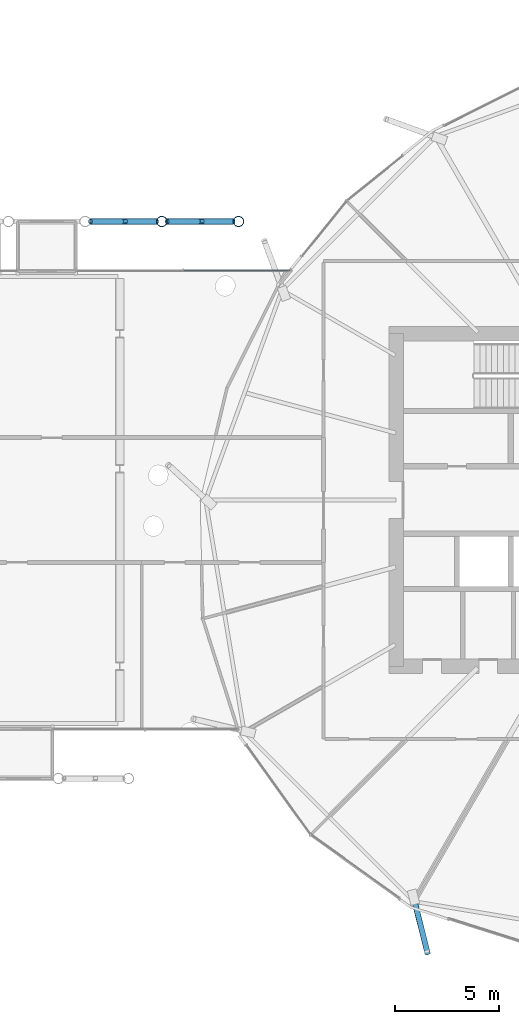
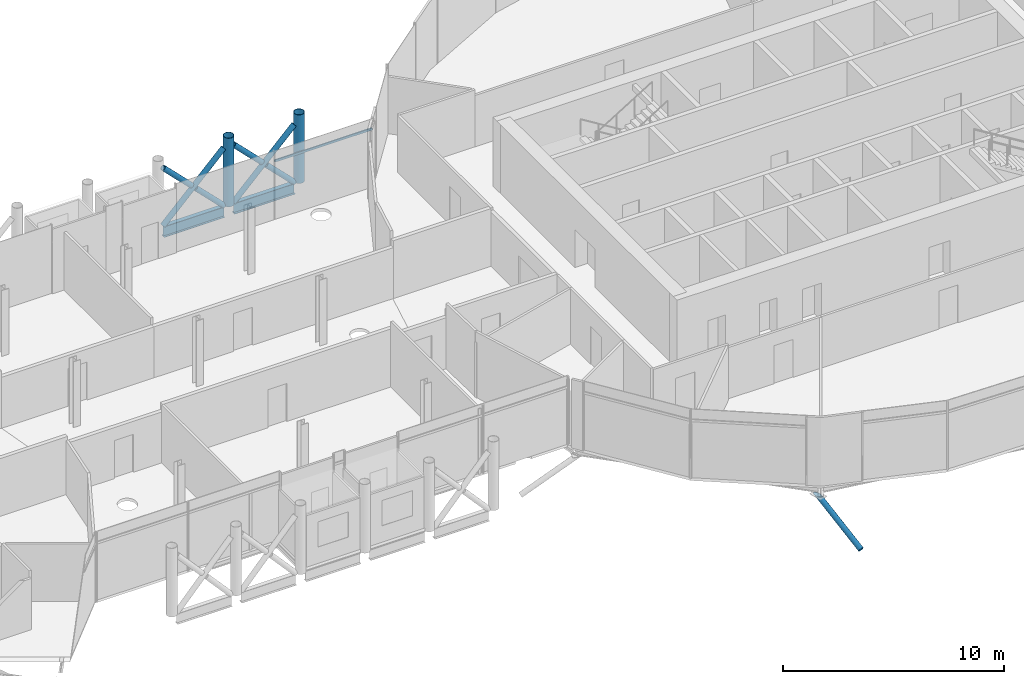
# One storey, part 12 of 39: 10 members, 2 beams, 1 element without a shape of its own.
"""IFC4 building model written with IfcOpenShell, lengths in metres."""

from ifc_helpers import new_model, si_unit, direction, frame, origin, origin_2d, place, context, subcontext, project, spatial, rectangle, hollow_circle, i_section, extrude, clip, halfspace, material, material_profile, profile_set, type_object, element, aggregate, save


model = new_model("IFC4")

# Units and contexts
model_context = context("Model", 3, precision=1e-05, world=origin(), true_north=direction((0.0, 1.0)))
body_context = subcontext(model_context, "Body", "Model", "MODEL_VIEW")
ifc_project = project(units=[si_unit("LENGTHUNIT", "METRE"), si_unit("AREAUNIT", "SQUARE_METRE"), si_unit("VOLUMEUNIT", "CUBIC_METRE"), si_unit("PLANEANGLEUNIT", "RADIAN"), si_unit("MASSUNIT", "GRAM", prefix="KILO")], contexts=[model_context])

# Site, building, storey
site_placement = place(None, origin())
site = spatial("IfcSite", under=ifc_project, at=site_placement, CompositionType="ELEMENT")
building_placement = place(site_placement, origin())
building = spatial("IfcBuilding", under=site, at=building_placement, Name="Rimbun Link Towers", CompositionType="ELEMENT")
storey_placement = place(building_placement, frame((0.0, 0.0, 143.0)))
storey = spatial("IfcBuildingStorey", under=building, at=storey_placement, Name="L34", CompositionType="ELEMENT", Elevation=143.0)

# Curtain wall, member
ifc_material_1 = material(Name="Aluminium 6063-T6 and low-iron glass", Category="aluminium")
curtain_wall_type = type_object("IfcCurtainWallType", Name="CW4 link block wall", PredefinedType="NOTDEFINED", material=ifc_material_1)
curtain_wall_placement = place(storey_placement, origin())
curtain_wall = element("IfcCurtainWall", 1, at=curtain_wall_placement, inside=storey, type_object=curtain_wall_type, Name="CW4 L34 LB", PredefinedType="NOTDEFINED")
ifc_material_2 = material(Name="Aluminium 6063-T6", Category="aluminium")
ifc_material_profile_1 = material_profile(ifc_material_2, rectangle(XDim=0.06005859375, YDim=0.1201171875, at=origin_2d()), Name="TRANSOM 60X120")
ifc_profile_set_1 = profile_set([ifc_material_profile_1], Name="Aluminium 6063-T6")
member_type_1 = type_object("IfcMemberType", Name="CW4 transom 60X120", PredefinedType="USERDEFINED", material=ifc_profile_set_1)
member_1_placement = place(storey_placement, frame((9.52880859375, 11.05810546875, 3.199951171875), z_axis=(1.0, 0.0, 0.0), x_axis=(0.0, 1.0, 0.0)))
member_1 = element("IfcMember", 2, at=member_1_placement, type_object=member_type_1, Name="CW4 transom", ObjectType="TRANSOM", PredefinedType="USERDEFINED", context=body_context, shape_type="SweptSolid", body=[
    extrude(rectangle(XDim=0.06005859375, YDim=0.1201171875, at=origin_2d()), origin(), (0.0, 0.0, 1.0), 5.101806640625),
])
aggregate(curtain_wall, [member_1])

# Members
ifc_material_3 = material(Name="Steel S355J2H", Category="steel")
ifc_material_profile_2 = material_profile(ifc_material_3, hollow_circle(Radius=0.136474609375, WallThickness=0.012451171875, at=origin_2d()), Name="CHS 273x12.5")
ifc_profile_set_2 = profile_set([ifc_material_profile_2], Name="Steel S355J2H")
member_type_2 = type_object("IfcMemberType", Name="Floor edge link CHS 273x12.5", PredefinedType="BRACE", material=ifc_profile_set_2)
member_2_placement = place(storey_placement, frame((20.621826171875, -19.2744140625, -0.98193359375), z_axis=(0.211190436745, -0.841445466662, -0.497361162598), x_axis=(0.969917223823, 0.24343495832, 0.0)))
element("IfcMember", 3, at=member_2_placement, inside=storey, type_object=member_type_2, Name="Floor edge link T2 L34 13", PredefinedType="BRACE", context=body_context, shape_type="Clipping", body=[
    clip(extrude(hollow_circle(Radius=0.136474609375, WallThickness=0.012451171875, at=origin_2d()), frame((0.0, 0.0, -0.496337890625)), (0.0, 0.0, 1.0), 3.5146484375), halfspace(frame((0.0, 0.0, -0.234130859375), z_axis=(0.0, 0.86754358619, -0.497361162598)), False)),
])
ifc_material_4 = material(Name="Steel S355J2H", Category="steel")
ifc_material_profile_3 = material_profile(ifc_material_4, hollow_circle(Radius=0.136474609375, WallThickness=0.012451171875, at=origin_2d()), Name="CHS 273x12.5")
ifc_profile_set_3 = profile_set([ifc_material_profile_3], Name="Steel S355J2H")
member_type_3 = type_object("IfcMemberType", Name="Link megaframe brace CHS 273x12.5", PredefinedType="BRACE", material=ifc_profile_set_3)
member_3_placement = place(storey_placement, frame((5.03564453125, 13.39990234375, -0.219970703125), z_axis=(0.705399815657, 0.0, 0.708809635989), x_axis=(0.0, 1.0, 0.0)))
element("IfcMember", 4, at=member_3_placement, inside=storey, type_object=member_type_3, Name="Link megaframe brace N4-5 bay 3.1", PredefinedType="BRACE", context=body_context, shape_type="SweptSolid", body=[
    extrude(hollow_circle(Radius=0.136474609375, WallThickness=0.012451171875, at=origin_2d()), origin(), (0.0, 0.0, 1.0), 4.5107421875),
])
member_4_placement = place(storey_placement, frame((8.217529296875, 13.39990234375, -0.219970703125), z_axis=(-0.70537354252, 0.0, 0.708835781767), x_axis=(0.0, -1.0, 0.0)))
element("IfcMember", 5, at=member_4_placement, inside=storey, type_object=member_type_3, Name="Link megaframe brace N4-5 bay 3.2a", PredefinedType="BRACE", context=body_context, shape_type="SweptSolid", body=[
    extrude(hollow_circle(Radius=0.136474609375, WallThickness=0.012451171875, at=origin_2d()), origin(), (0.0, 0.0, 1.0), 2.115478515625),
])
member_5_placement = place(storey_placement, frame((6.52783203125, 13.39990234375, 1.47802734375), z_axis=(-0.705431248199, 0.0, 0.70877835327), x_axis=(0.0, -1.0, 0.0)))
element("IfcMember", 6, at=member_5_placement, inside=storey, type_object=member_type_3, Name="Link megaframe brace N4-5 bay 3.2b", PredefinedType="BRACE", context=body_context, shape_type="SweptSolid", body=[
    extrude(hollow_circle(Radius=0.136474609375, WallThickness=0.012451171875, at=origin_2d()), origin(), (0.0, 0.0, 1.0), 2.115234375),
])
member_6_placement = place(storey_placement, frame((8.7255859375, 13.39990234375, -0.219970703125), z_axis=(0.705399815657, 0.0, 0.708809635989), x_axis=(0.0, 1.0, 0.0)))
element("IfcMember", 7, at=member_6_placement, inside=storey, type_object=member_type_3, Name="Link megaframe brace N5-6 bay 3.1", PredefinedType="BRACE", context=body_context, shape_type="SweptSolid", body=[
    extrude(hollow_circle(Radius=0.136474609375, WallThickness=0.012451171875, at=origin_2d()), origin(), (0.0, 0.0, 1.0), 4.5107421875),
])
member_7_placement = place(storey_placement, frame((11.907470703125, 13.39990234375, -0.219970703125), z_axis=(-0.70537354252, 0.0, 0.708835781767), x_axis=(0.0, -1.0, 0.0)))
element("IfcMember", 8, at=member_7_placement, inside=storey, type_object=member_type_3, Name="Link megaframe brace N5-6 bay 3.2a", PredefinedType="BRACE", context=body_context, shape_type="SweptSolid", body=[
    extrude(hollow_circle(Radius=0.136474609375, WallThickness=0.012451171875, at=origin_2d()), origin(), (0.0, 0.0, 1.0), 2.115478515625),
])
member_8_placement = place(storey_placement, frame((10.2177734375, 13.39990234375, 1.47802734375), z_axis=(-0.705431248199, 0.0, 0.70877835327), x_axis=(0.0, -1.0, 0.0)))
element("IfcMember", 9, at=member_8_placement, inside=storey, type_object=member_type_3, Name="Link megaframe brace N5-6 bay 3.2b", PredefinedType="BRACE", context=body_context, shape_type="SweptSolid", body=[
    extrude(hollow_circle(Radius=0.136474609375, WallThickness=0.012451171875, at=origin_2d()), origin(), (0.0, 0.0, 1.0), 2.115234375),
])
ifc_material_5 = material(Name="Steel S355J2H", Category="steel")
ifc_material_profile_4 = material_profile(ifc_material_5, hollow_circle(Radius=0.25390625, WallThickness=0.02001953125, at=origin_2d()), Name="CHS 508x20")
ifc_profile_set_4 = profile_set([ifc_material_profile_4], Name="Steel S355J2H")
member_type_4 = type_object("IfcMemberType", Name="Link megaframe post CHS 508x20", PredefinedType="POST", material=ifc_profile_set_4)
for number, where, z_axis, x_axis, name in (
    (10, (8.4716796875, 13.39990234375, -0.219970703125), (0.0, 0.0, 1.0), (1.0, 0.0, 0.0), "Link megaframe post N5 bay 3"),
    (11, (12.16162109375, 13.39990234375, -0.219970703125), (0.0, 0.0, 1.0), (1.0, 0.0, 0.0), "Link megaframe post N6 bay 3"),
):
    element("IfcMember", number, at=place(storey_placement, frame(where, z_axis=z_axis, x_axis=x_axis)), inside=storey, type_object=member_type_4, Name=name, PredefinedType="POST", context=body_context, shape_type="SweptSolid", body=[
        extrude(hollow_circle(Radius=0.25390625, WallThickness=0.02001953125, at=origin_2d()), origin(), (0.0, 0.0, 1.0), 3.800048828125),
    ])

# Beams
ifc_material_6 = material(Name="Steel S355J2", Category="steel")
ifc_material_profile_5 = material_profile(ifc_material_6, i_section(OverallWidth=0.2275390625, OverallDepth=0.6025390625, WebThickness=0.010498046875, FlangeThickness=0.014892578125, at=origin_2d()), Name="UB 610x229x101")
ifc_profile_set_5 = profile_set([ifc_material_profile_5], Name="Steel S355J2")
beam_type = type_object("IfcBeamType", Name="Link megaframe ring beam UB 610x229x101", PredefinedType="BEAM", material=ifc_profile_set_5)
for number, where, z_axis, x_axis, name in (
    (12, (5.03564453125, 13.39990234375, -0.521240234375), (1.0, 0.0, 0.0), (0.0, 1.0, 0.0), "Link megaframe ring beam N4-5 L34"),
    (13, (8.7255859375, 13.39990234375, -0.521240234375), (1.0, 0.0, 0.0), (0.0, 1.0, 0.0), "Link megaframe ring beam N5-6 L34"),
):
    element("IfcBeam", number, at=place(storey_placement, frame(where, z_axis=z_axis, x_axis=x_axis)), inside=storey, type_object=beam_type, Name=name, PredefinedType="BEAM", context=body_context, shape_type="SweptSolid", body=[
        extrude(i_section(OverallWidth=0.2275390625, OverallDepth=0.6025390625, WebThickness=0.010498046875, FlangeThickness=0.014892578125, at=origin_2d()), origin(), (0.0, 0.0, 1.0), 3.181884765625),
    ])

save(model, "model.ifc")
